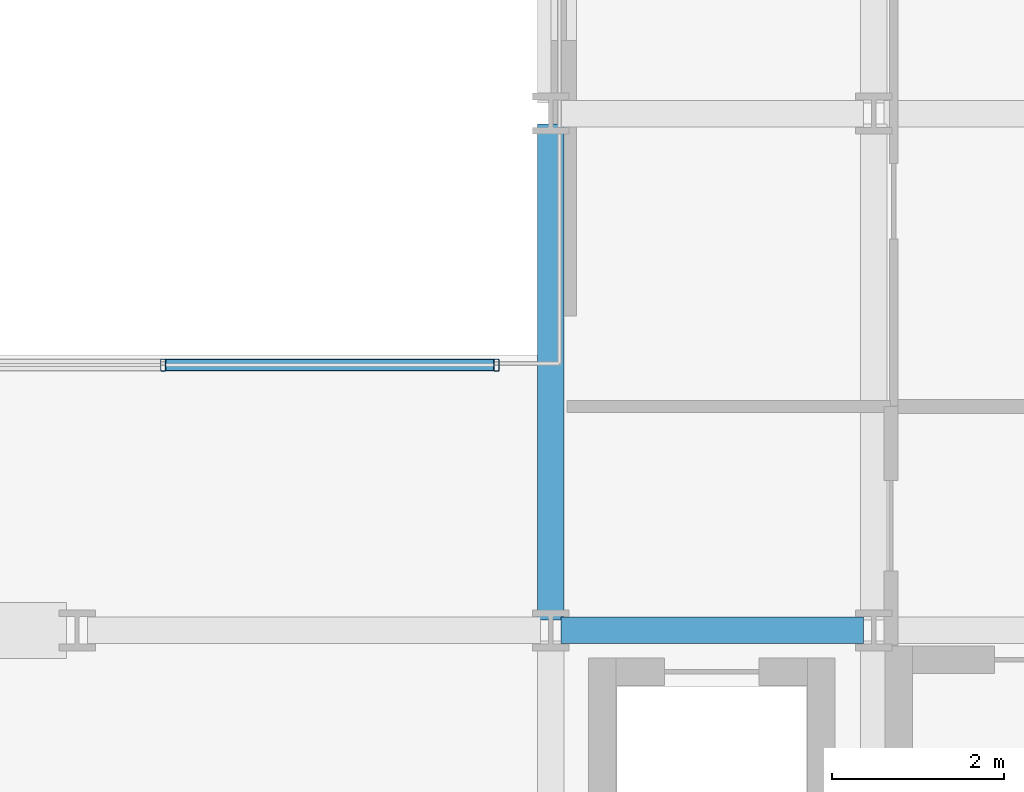
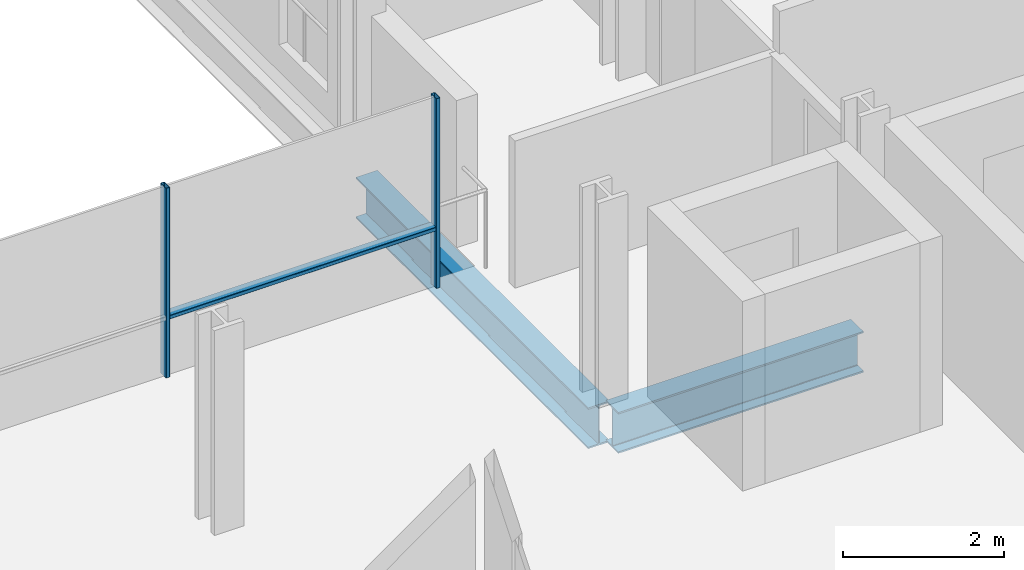
# One storey, part 13 of 39: 3 members, 2 beams, 1 element without a shape of its own.
"""IFC4 building model written with IfcOpenShell, lengths in metres."""

from ifc_helpers import new_model, si_unit, direction, frame, origin, origin_2d, place, context, subcontext, project, spatial, hollow_rectangle, i_section, extrude, material, layer, layer_set, material_profile, profile_set, type_object, element, aggregate, save


model = new_model("IFC4")

# Units and contexts
model_context = context("Model", 3, precision=1e-05, world=origin(), true_north=direction((0.0, 1.0)))
body_context = subcontext(model_context, "Body", "Model", "MODEL_VIEW")
ifc_project = project(units=[si_unit("LENGTHUNIT", "METRE"), si_unit("AREAUNIT", "SQUARE_METRE"), si_unit("VOLUMEUNIT", "CUBIC_METRE"), si_unit("PLANEANGLEUNIT", "RADIAN"), si_unit("MASSUNIT", "GRAM", prefix="KILO")], contexts=[model_context])

# Site, building, storey
site_placement = place(None, origin())
site = spatial("IfcSite", under=ifc_project, at=site_placement, CompositionType="ELEMENT")
building_placement = place(site_placement, origin())
building = spatial("IfcBuilding", under=site, at=building_placement, Name="Brevholm Reach", CompositionType="ELEMENT")
storey_placement = place(building_placement, frame((0.0, 0.0, 34.199951171875)))
storey = spatial("IfcBuildingStorey", under=building, at=storey_placement, Name="L08", CompositionType="ELEMENT", Elevation=34.199951171875)

# Beams
ifc_material_1 = material(Name="Structural Steel S355J2", Category="steel")
ifc_material_profile_1 = material_profile(ifc_material_1, i_section(OverallWidth=0.30712890625, OverallDepth=0.6201171875, WebThickness=0.01416015625, FlangeThickness=0.023681640625, FilletRadius=0.0166015625, at=origin_2d()), Name="UKB 610x305x179")
ifc_profile_set_1 = profile_set([ifc_material_profile_1], Name="Structural Steel S355J2")
beam_type = type_object("IfcBeamType", Name="BM-UKB610H", PredefinedType="USERDEFINED", material=ifc_profile_set_1)
beam_1_placement = place(storey_placement, frame((38.3701171875, 10.0, -0.5400390625), z_axis=(1.0, 0.0, 0.0), x_axis=(0.0, 1.0, 0.0)))
element("IfcBeam", 1, at=beam_1_placement, inside=storey, type_object=beam_type, Name="L08 G-06 Framing Beam", ObjectType="GIRDER", PredefinedType="USERDEFINED", context=body_context, shape_type="SweptSolid", body=[
    extrude(i_section(OverallWidth=0.30712890625, OverallDepth=0.6201171875, WebThickness=0.01416015625, FlangeThickness=0.023681640625, FilletRadius=0.0166015625, at=origin_2d()), origin(), (0.0, 0.0, 1.0), 3.509765625),
])
beam_2_placement = place(storey_placement, frame((38.25, 10.1201171875, -0.5400390625), z_axis=(0.0, 1.0, 0.0), x_axis=(-1.0, 0.0, 0.0)))
element("IfcBeam", 2, at=beam_2_placement, inside=storey, type_object=beam_type, Name="L08 G-06 Framing Beam", ObjectType="GIRDER", PredefinedType="USERDEFINED", context=body_context, shape_type="SweptSolid", body=[
    extrude(i_section(OverallWidth=0.30712890625, OverallDepth=0.6201171875, WebThickness=0.01416015625, FlangeThickness=0.023681640625, FilletRadius=0.0166015625, at=origin_2d()), origin(), (0.0, 0.0, 1.0), 5.759765625),
])

# Curtain wall, members
ifc_material_2 = material(Name="Dark Anodised Aluminium 6063-T6 and Solar-Control Glass", Category="aluminium")
ifc_layer = layer(ifc_material_2, 0.139892578125)
ifc_layer_set = layer_set([ifc_layer], Name="Dark Anodised Aluminium 6063-T6 and Solar-Control Glass")
curtain_wall_type = type_object("IfcCurtainWallType", Name="CW-02", PredefinedType="NOTDEFINED", material=ifc_layer_set)
curtain_wall_placement = place(storey_placement, origin())
curtain_wall = element("IfcCurtainWall", 3, at=curtain_wall_placement, inside=storey, type_object=curtain_wall_type, Name="L08 Curtain Wall CW-02", PredefinedType="NOTDEFINED")
ifc_material_3 = material(Name="Dark Anodised Aluminium 6063-T6", Category="aluminium")
ifc_material_profile_2 = material_profile(ifc_material_3, hollow_rectangle(XDim=0.06005859375, YDim=0.139892578125, WallThickness=0.0048828125, InnerFilletRadius=0.0048828125, OuterFilletRadius=0.010009765625, at=origin_2d()), Name="RHS 140x60x5")
ifc_profile_set_2 = profile_set([ifc_material_profile_2], Name="Dark Anodised Aluminium 6063-T6")
member_type_1 = type_object("IfcMemberType", Name="CWM-140", PredefinedType="MULLION", material=ifc_profile_set_2)
member_1_placement = place(storey_placement, frame((33.75, 13.080078125, 0.0), z_axis=(0.0, 0.0, 1.0), x_axis=(1.0, 0.0, 0.0)))
member_1 = element("IfcMember", 4, at=member_1_placement, type_object=member_type_1, Name="CM-140 Mullion 4", PredefinedType="MULLION", context=body_context, shape_type="SweptSolid", body=[
    extrude(hollow_rectangle(XDim=0.06005859375, YDim=0.139892578125, WallThickness=0.0048828125, InnerFilletRadius=0.0048828125, OuterFilletRadius=0.010009765625, at=origin_2d()), origin(), (0.0, 0.0, 1.0), 2.8701171875),
])
member_2_placement = place(storey_placement, frame((37.6201171875, 13.080078125, 0.0), z_axis=(0.0, 0.0, 1.0), x_axis=(1.0, 0.0, 0.0)))
member_2 = element("IfcMember", 5, at=member_2_placement, type_object=member_type_1, Name="CM-140 Mullion 5", PredefinedType="MULLION", context=body_context, shape_type="SweptSolid", body=[
    extrude(hollow_rectangle(XDim=0.06005859375, YDim=0.139892578125, WallThickness=0.0048828125, InnerFilletRadius=0.0048828125, OuterFilletRadius=0.010009765625, at=origin_2d()), origin(), (0.0, 0.0, 1.0), 2.8701171875),
])
ifc_material_4 = material(Name="Dark Anodised Aluminium 6063-T6", Category="aluminium")
ifc_material_profile_3 = material_profile(ifc_material_4, hollow_rectangle(XDim=0.06005859375, YDim=0.139892578125, WallThickness=0.0048828125, InnerFilletRadius=0.0048828125, OuterFilletRadius=0.010009765625, at=origin_2d()), Name="RHS 140x60x5")
ifc_profile_set_3 = profile_set([ifc_material_profile_3], Name="Dark Anodised Aluminium 6063-T6")
member_type_2 = type_object("IfcMemberType", Name="CWT-140", PredefinedType="NOTDEFINED", material=ifc_profile_set_3)
member_3_placement = place(storey_placement, frame((33.780029296875, 13.080078125, 0.900146484375), z_axis=(1.0, 0.0, 0.0), x_axis=(0.0, 0.0, 1.0)))
member_3 = element("IfcMember", 6, at=member_3_placement, type_object=member_type_2, Name="CT-140 Transom 4.1", ObjectType="TRANSOM", PredefinedType="USERDEFINED", context=body_context, shape_type="SweptSolid", body=[
    extrude(hollow_rectangle(XDim=0.06005859375, YDim=0.139892578125, WallThickness=0.0048828125, InnerFilletRadius=0.0048828125, OuterFilletRadius=0.010009765625, at=origin_2d()), origin(), (0.0, 0.0, 1.0), 3.81005859375),
])
aggregate(curtain_wall, [member_1, member_2, member_3])

save(model, "model.ifc")
